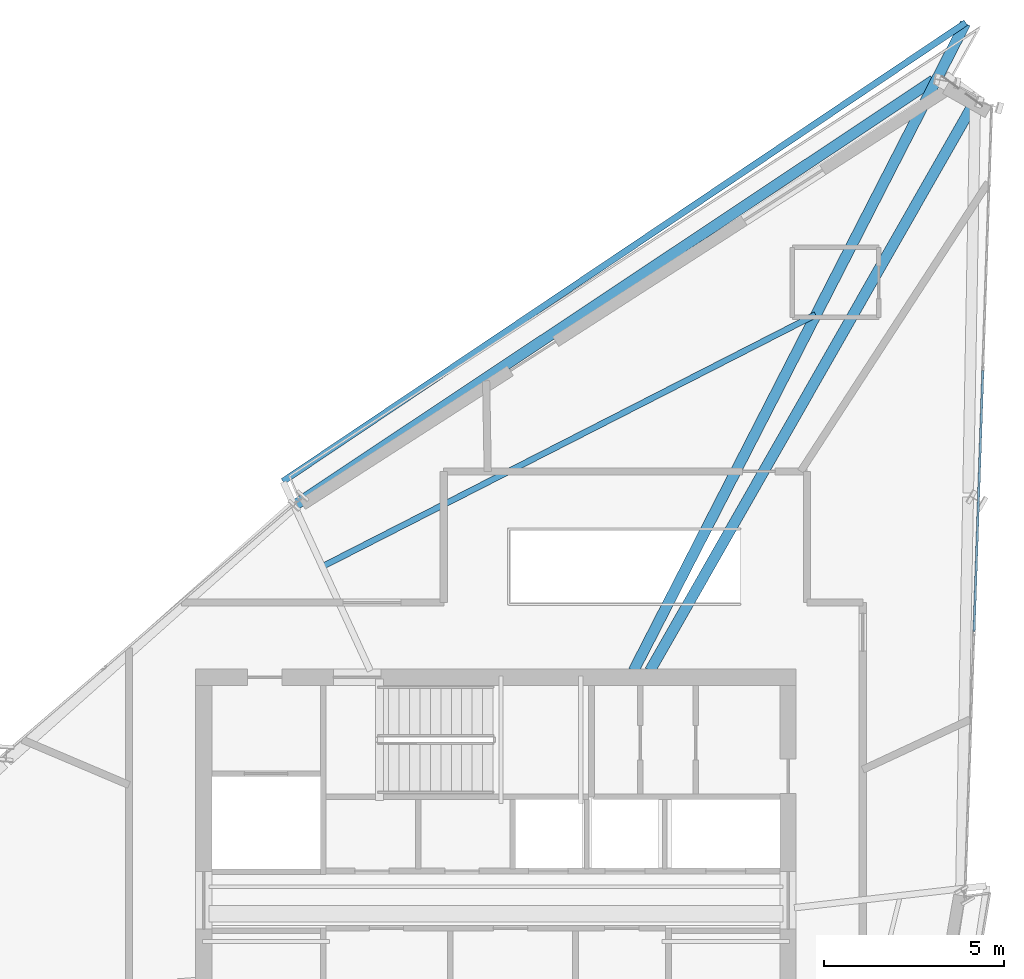
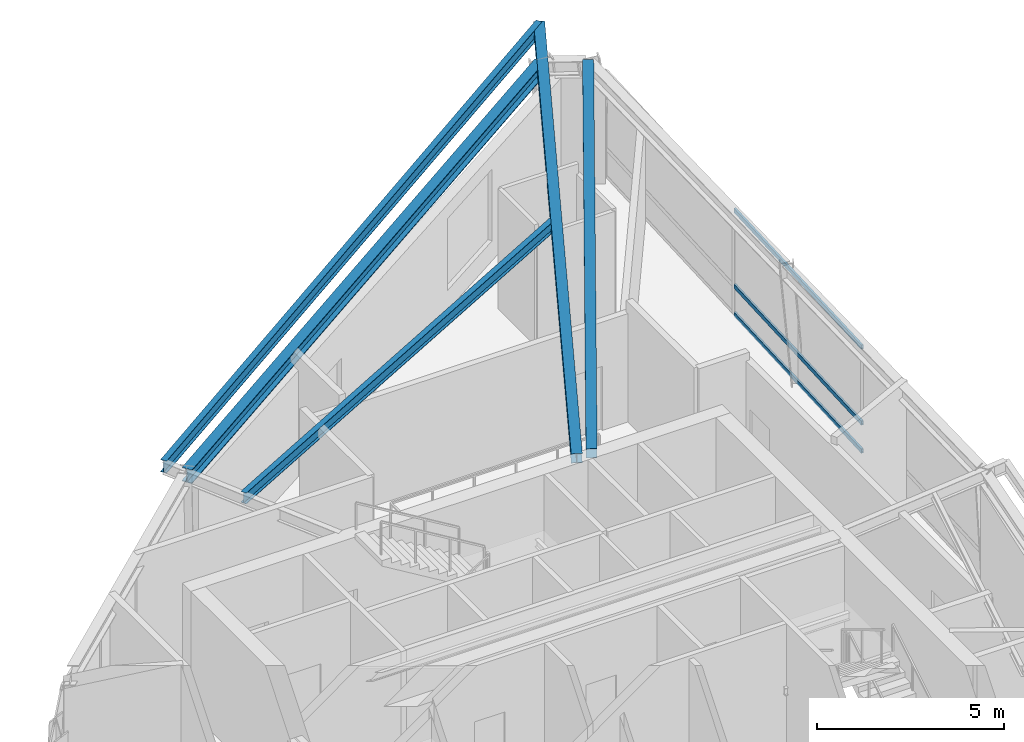
# One storey, part 12 of 22: 5 beams, 3 members, 1 element without a shape of its own.
"""IFC4 building model written with IfcOpenShell, lengths in metres."""

import ifcopenshell
import ifcopenshell.guid

model = None  # the IFC model being written
_history = None  # IfcOwnerHistory: only IFC2X3 demands one
_inside = {}  # id of a spatial element -> (the spatial element, [elements in it])
_under = {}  # id of a project, library or spatial element -> (it, [spatial elements below it])
_declared = {}  # id of a project -> (the project, [libraries it declares])
_typed = {}  # id of a type object -> (the type object, [elements of that type])
_made_of = {}  # id of a material, layer set ... -> (it, [elements and type objects made of it])


def new_model(schema):
    """Start an empty IFC model of exactly this schema.

    Asked for "IFC4X3", IfcOpenShell would pick the latest addendum, in which some entities
    have other attributes; the version numbers below select the first issue.
    IFC2X3 requires an IfcOwnerHistory on every rooted entity: one is made here for all.
    """
    global model, _history
    if schema == "IFC4X3":
        model = ifcopenshell.file(schema_version=(4, 3, 0, 0))
    else:
        model = ifcopenshell.file(schema=schema)
    _inside.clear()
    _under.clear()
    _declared.clear()
    _typed.clear()
    _made_of.clear()
    _history = None
    if model.schema == "IFC2X3":
        org = make("IfcOrganization", Name="unknown")
        user = make(
            "IfcPersonAndOrganization",
            ThePerson=make("IfcPerson", FamilyName="unknown"),
            TheOrganization=org,
        )
        app = make(
            "IfcApplication",
            ApplicationDeveloper=org,
            Version="unknown",
            ApplicationFullName="unknown",
            ApplicationIdentifier="unknown",
        )
        _history = make(
            "IfcOwnerHistory",
            OwningUser=user,
            OwningApplication=app,
            ChangeAction="ADDED",
            CreationDate=0,
        )
    return model


def make(cls, **values):
    """One entity of the class cls with the attributes given. An attribute that is None is left unset."""
    return model.create_entity(
        cls, **{name: value for name, value in values.items() if value is not None}
    )


def rooted(cls, **values):
    """An entity with a GlobalId (a new one), such as an element, a storey or a relation."""
    return make(cls, GlobalId=ifcopenshell.guid.new(), OwnerHistory=_history, **values)


def si_unit(unit_type, name, prefix=None):
    """IfcSIUnit, for example si_unit("LENGTHUNIT", "METRE", prefix="MILLI")."""
    return make("IfcSIUnit", UnitType=unit_type, Prefix=prefix, Name=name)


def assignment(units):
    """IfcUnitAssignment: the units of a project."""
    return None if units is None else make("IfcUnitAssignment", Units=units)


def point(xyz):
    """IfcCartesianPoint."""
    return None if xyz is None else make("IfcCartesianPoint", Coordinates=xyz)


def direction(xyz):
    """IfcDirection."""
    return None if xyz is None else make("IfcDirection", DirectionRatios=xyz)


def frame(location, z_axis=None, x_axis=None):
    """IfcAxis2Placement3D, a coordinate frame: its origin and axes. An axis left out is left unset."""
    return make(
        "IfcAxis2Placement3D",
        Location=point(location),
        Axis=direction(z_axis),
        RefDirection=direction(x_axis),
    )


def frame_2d(location, x_axis=None):
    """IfcAxis2Placement2D, a coordinate frame in the plane: its origin and x axis."""
    return make(
        "IfcAxis2Placement2D", Location=point(location), RefDirection=direction(x_axis)
    )


def origin():
    """The frame at (0, 0, 0) with its axes left unset."""
    return frame((0.0, 0.0, 0.0))


def origin_2d():
    """The frame at (0, 0) in the plane with its x axis left unset."""
    return frame_2d((0.0, 0.0))


def place(relative_to, where):
    """IfcLocalPlacement: puts the frame where relative to a parent placement (None: the world)."""
    return make(
        "IfcLocalPlacement", PlacementRelTo=relative_to, RelativePlacement=where
    )


def context(
    kind, dimensions, precision=None, world=None, true_north=None, identifier=None
):
    """IfcGeometricRepresentationContext, for example the 3D "Model" context."""
    return make(
        "IfcGeometricRepresentationContext",
        ContextIdentifier=identifier,
        ContextType=kind,
        CoordinateSpaceDimension=dimensions,
        Precision=precision,
        WorldCoordinateSystem=world,
        TrueNorth=true_north,
    )


def subcontext(parent, identifier, kind, view, scale=None):
    """IfcGeometricRepresentationSubContext, for example "Body" below "Model"."""
    return make(
        "IfcGeometricRepresentationSubContext",
        ContextIdentifier=identifier,
        ContextType=kind,
        ParentContext=parent,
        TargetScale=scale,
        TargetView=view,
    )


def project(units=None, contexts=None):
    """IfcProject with its units and contexts."""
    return rooted(
        "IfcProject",
        Name="project",
        RepresentationContexts=contexts,
        UnitsInContext=assignment(units),
    )


def spatial(cls, under=None, at=None, **own):
    """A site, building, storey or space (cls), placed at a placement, below another one or the project."""
    s = rooted(cls, ObjectPlacement=at, **own)
    if under is not None:
        _under.setdefault(under.id(), (under, []))[1].append(s)
    return s


def profile(cls, at=None, kind="AREA", **sizes):
    """A parametric profile (cls). Its sizes go by their IFC names, for example OverallWidth=200.0."""
    return make(cls, ProfileType=kind, Position=at, **sizes)


def hollow_rectangle(**sizes):
    """IfcRectangleHollowProfileDef."""
    return profile("IfcRectangleHollowProfileDef", **sizes)


def i_section(**sizes):
    """IfcIShapeProfileDef."""
    return profile("IfcIShapeProfileDef", **sizes)


def extrude(swept, where, along, depth):
    """IfcExtrudedAreaSolid: the profile swept, set in the frame where, extruded along a direction by depth."""
    return make(
        "IfcExtrudedAreaSolid",
        SweptArea=swept,
        Position=where,
        ExtrudedDirection=direction(along),
        Depth=depth,
    )


def shape(context_of_items, identifier, shape_type, items):
    """IfcShapeRepresentation: the items that make up one representation, for example the "Body"."""
    return make(
        "IfcShapeRepresentation",
        ContextOfItems=context_of_items,
        RepresentationIdentifier=identifier,
        RepresentationType=shape_type,
        Items=items,
    )


def source(mapping_origin, context_of_items, identifier, shape_type, items):
    """IfcRepresentationMap: a shape defined once, which mapped items show again and again."""
    return make(
        "IfcRepresentationMap",
        MappingOrigin=mapping_origin,
        MappedRepresentation=shape(context_of_items, identifier, shape_type, items),
    )


def transform(
    local_origin,
    x_axis=None,
    y_axis=None,
    z_axis=None,
    scale=None,
    scale2=None,
    scale3=None,
    uniform=True,
):
    """IfcCartesianTransformationOperator3D, or its non-uniform kind. x_axis, y_axis, z_axis: its Axis1, 2, 3."""
    if uniform:
        return make(
            "IfcCartesianTransformationOperator3D",
            Axis1=direction(x_axis),
            Axis2=direction(y_axis),
            LocalOrigin=point(local_origin),
            Scale=scale,
            Axis3=direction(z_axis),
        )
    return make(
        "IfcCartesianTransformationOperator3DnonUniform",
        Axis1=direction(x_axis),
        Axis2=direction(y_axis),
        LocalOrigin=point(local_origin),
        Scale=scale,
        Axis3=direction(z_axis),
        Scale2=scale2,
        Scale3=scale3,
    )


def mapped(mapping_source, mapping_target):
    """IfcMappedItem: shows the shape of a source again, moved by a transform."""
    return make(
        "IfcMappedItem", MappingSource=mapping_source, MappingTarget=mapping_target
    )


def material(Name=None, Category=None):
    """IfcMaterial."""
    return make("IfcMaterial", Name=Name, Category=Category)


def material_profile(
    of_material, cross_section, Name=None, Category=None, Priority=None
):
    """IfcMaterialProfile: a cross section and its material."""
    return make(
        "IfcMaterialProfile",
        Name=Name,
        Material=of_material,
        Profile=cross_section,
        Priority=Priority,
        Category=Category,
    )


def profile_set(profiles, Name=None, composite=None):
    """IfcMaterialProfileSet."""
    return make(
        "IfcMaterialProfileSet",
        Name=Name,
        MaterialProfiles=profiles,
        CompositeProfile=composite,
    )


def made_of(thing, what):
    """Note that an element or type object is made of a material, layer set ...; save() writes the relation."""
    if what is not None:
        _made_of.setdefault(what.id(), (what, []))[1].append(thing)
    return thing


def type_object(cls, material=None, **own):
    """A type object (cls), such as IfcWallType, which elements share."""
    return made_of(rooted(cls, **own), material)


def element(
    cls,
    number,
    at=None,
    inside=None,
    cuts=None,
    type_object=None,
    material=None,
    context=None,
    identifier="Body",
    shape_type=None,
    held_by="IfcProductDefinitionShape",
    body=None,
    shapes=None,
    **own,
):
    """One element of the class cls, such as IfcWall. Its Tag is "e" and its number.

    at: its placement. inside: the storey or other place that contains it. cuts: it is an
    opening in that element (IfcRelVoidsElement). A single representation is given by context,
    identifier, shape_type and body (its items); several are given by shapes. held_by: the class
    of the entity that holds the representations. save() writes the other relations.
    """
    e = rooted(cls, Tag="e%d" % number, ObjectPlacement=at, **own)
    if body is not None:
        shapes = [shape(context, identifier, shape_type, body)]
    if shapes is not None:
        e.Representation = make(held_by, Representations=shapes)
    if inside is not None:
        _inside.setdefault(inside.id(), (inside, []))[1].append(e)
    if cuts is not None:
        rooted(
            "IfcRelVoidsElement", RelatingBuildingElement=cuts, RelatedOpeningElement=e
        )
    if type_object is not None:
        _typed.setdefault(type_object.id(), (type_object, []))[1].append(e)
    return made_of(e, material)


def aggregate(whole, parts):
    """IfcRelAggregates: a whole, such as a stair, and the parts it consists of."""
    return rooted("IfcRelAggregates", RelatingObject=whole, RelatedObjects=parts)


def save(model, path):
    """Write the relations noted so far, then the file.

    IfcRelAggregates (storeys below a building ...), IfcRelContainedInSpatialStructure (elements
    in a storey), IfcRelDefinesByType, IfcRelAssociatesMaterial and IfcRelDeclares: one each for
    every whole, place, type object, material and project.
    """
    for whole, parts in _under.values():
        aggregate(whole, parts)
    for where, things in _inside.values():
        rooted(
            "IfcRelContainedInSpatialStructure",
            RelatedElements=things,
            RelatingStructure=where,
        )
    for kind, things in _typed.values():
        rooted("IfcRelDefinesByType", RelatedObjects=things, RelatingType=kind)
    for what, things in _made_of.values():
        rooted("IfcRelAssociatesMaterial", RelatedObjects=things, RelatingMaterial=what)
    for by, libraries in _declared.values():
        rooted("IfcRelDeclares", RelatingContext=by, RelatedDefinitions=libraries)
    model.write(path)


model = new_model("IFC4")

# Units and contexts
model_context = context("Model", 3, precision=1e-05, world=origin(), true_north=direction((0.0, 1.0)))
body_context = subcontext(model_context, "Body", "Model", "MODEL_VIEW")
ifc_project = project(units=[si_unit("LENGTHUNIT", "METRE"), si_unit("AREAUNIT", "SQUARE_METRE"), si_unit("VOLUMEUNIT", "CUBIC_METRE"), si_unit("PLANEANGLEUNIT", "RADIAN"), si_unit("MASSUNIT", "GRAM", prefix="KILO")], contexts=[model_context])

# Site, building, storey
site_placement = place(None, origin())
site = spatial("IfcSite", under=ifc_project, at=site_placement, CompositionType="ELEMENT")
building_placement = place(site_placement, origin())
building = spatial("IfcBuilding", under=site, at=building_placement, Name="Olszyna Solenne Hotel", CompositionType="ELEMENT")
storey_placement = place(building_placement, frame((0.0, 0.0, 281.89990234375)))
storey = spatial("IfcBuildingStorey", under=building, at=storey_placement, Name="L75", CompositionType="ELEMENT", Elevation=281.89990234375)

# Beams
ifc_material_1 = material(Name="Steel S355J2", Category="steel")
ifc_material_profile_1 = material_profile(ifc_material_1, i_section(OverallWidth=0.300048828125, OverallDepth=0.449951171875, WebThickness=0.013916015625, FlangeThickness=0.02587890625, at=origin_2d()), Name="HEB 450", Category="load-bearing")
ifc_profile_set_1 = profile_set([ifc_material_profile_1], Name="Steel S355J2")
beam_type_1 = type_object("IfcBeamType", Name="BM-S4", PredefinedType="BEAM", material=ifc_profile_set_1)
shared_shape_1 = source(origin(), body_context, "Body", "SweptSolid", [
    extrude(i_section(OverallWidth=0.300048828125, OverallDepth=0.449951171875, WebThickness=0.013916015625, FlangeThickness=0.02587890625, at=origin_2d()), origin(), (0.0, 0.0, 1.0), 21.308349609375),
])
beam_1_placement = place(storey_placement, frame((50.166259765625, 50.5244140625, 3.695068359375), z_axis=(-0.832536477487, -0.553970228129, 0.0), x_axis=(0.553970228129, -0.832536477487, 0.0)))
element("IfcBeam", 1, at=beam_1_placement, inside=storey, type_object=beam_type_1, Name="Perimeter spandrel beam BM-S4 B-L75-2197", PredefinedType="BEAM", context=body_context, shape_type="MappedRepresentation", body=[
    mapped(shared_shape_1, transform((0.0, 0.0, 0.0), x_axis=(1.0, 0.0, 0.0), y_axis=(0.0, 1.0, 0.0), z_axis=(0.0, 0.0, 1.0), scale=1.0)),
])
ifc_material_profile_2 = material_profile(ifc_material_1, i_section(OverallWidth=0.300048828125, OverallDepth=0.31005859375, WebThickness=0.009033203125, FlangeThickness=0.015380859375, at=origin_2d()), Name="HEA 320", Category="load-bearing")
ifc_profile_set_2 = profile_set([ifc_material_profile_2], Name="Steel S355J2")
beam_type_2 = type_object("IfcBeamType", Name="BM-G3", PredefinedType="BEAM", material=ifc_profile_set_2)
shared_shape_2 = source(origin(), body_context, "Body", "SweptSolid", [
    extrude(i_section(OverallWidth=0.300048828125, OverallDepth=0.31005859375, WebThickness=0.009033203125, FlangeThickness=0.015380859375, at=origin_2d()), origin(), (0.0, 0.0, 1.0), 18.183349609375),
])
beam_2_placement = place(storey_placement, frame((51.2958984375, 49.8994140625, 3.76513671875), z_axis=(-0.495632771209, -0.86853218484, 0.0), x_axis=(0.86853218484, -0.495632771209, 0.0)))
element("IfcBeam", 2, at=beam_2_placement, inside=storey, type_object=beam_type_2, Name="Radial floor girder BM-G3 B-L75-2208", PredefinedType="BEAM", context=body_context, shape_type="MappedRepresentation", body=[
    mapped(shared_shape_2, transform((0.0, 0.0, 0.0), x_axis=(1.0, 0.0, 0.0), y_axis=(0.0, 1.0, 0.0), z_axis=(0.0, 0.0, 1.0), scale=1.0)),
])
shared_shape_3 = source(origin(), body_context, "Body", "SweptSolid", [
    extrude(i_section(OverallWidth=0.300048828125, OverallDepth=0.31005859375, WebThickness=0.009033203125, FlangeThickness=0.015380859375, at=origin_2d()), origin(), (0.0, 0.0, 1.0), 20.22802734375),
])
beam_3_placement = place(storey_placement, frame((51.0537109375, 52.106689453125, 3.76513671875), z_axis=(-0.456127472236, -0.889914450423, 0.0), x_axis=(0.889914450423, -0.456127472236, 0.0)))
element("IfcBeam", 3, at=beam_3_placement, inside=storey, type_object=beam_type_2, Name="Radial floor girder BM-G3 B-L75-2209", PredefinedType="BEAM", context=body_context, shape_type="MappedRepresentation", body=[
    mapped(shared_shape_3, transform((0.0, 0.0, 0.0), x_axis=(1.0, 0.0, 0.0), y_axis=(0.0, 1.0, 0.0), z_axis=(0.0, 0.0, 1.0), scale=1.0)),
])
ifc_material_profile_3 = material_profile(ifc_material_1, i_section(OverallWidth=0.169921875, OverallDepth=0.360107421875, WebThickness=0.008056640625, FlangeThickness=0.0126953125, at=origin_2d()), Name="IPE 360", Category="load-bearing")
ifc_profile_set_3 = profile_set([ifc_material_profile_3], Name="Steel S355J2")
beam_type_3 = type_object("IfcBeamType", Name="JS-01", PredefinedType="JOIST", material=ifc_profile_set_3)
shared_shape_4 = source(origin(), body_context, "Body", "SweptSolid", [
    extrude(i_section(OverallWidth=0.169921875, OverallDepth=0.360107421875, WebThickness=0.008056640625, FlangeThickness=0.0126953125, at=origin_2d()), origin(), (0.0, 0.0, 1.0), 15.38134765625),
])
beam_4_placement = place(storey_placement, frame((46.888916015625, 44.0068359375, 3.739990234375), z_axis=(-0.890578864196, -0.454828854237, 0.0), x_axis=(0.454828854237, -0.890578864196, 0.0)))
element("IfcBeam", 4, at=beam_4_placement, inside=storey, type_object=beam_type_3, Name="Secondary composite floor joist JS-01 B-L75-2218", PredefinedType="JOIST", context=body_context, shape_type="MappedRepresentation", body=[
    mapped(shared_shape_4, transform((0.0, 0.0, 0.0), x_axis=(1.0, 0.0, 0.0), y_axis=(0.0, 1.0, 0.0), z_axis=(0.0, 0.0, 1.0), scale=1.0)),
])
ifc_material_profile_4 = material_profile(ifc_material_1, i_section(OverallWidth=0.179931640625, OverallDepth=0.39990234375, WebThickness=0.008544921875, FlangeThickness=0.013427734375, at=origin_2d()), Name="IPE 400", Category="load-bearing")
ifc_profile_set_4 = profile_set([ifc_material_profile_4], Name="Steel S355J2")
beam_type_4 = type_object("IfcBeamType", Name="BM-F5", PredefinedType="BEAM", material=ifc_profile_set_4)
shared_shape_5 = source(origin(), body_context, "Body", "SweptSolid", [
    extrude(i_section(OverallWidth=0.179931640625, OverallDepth=0.39990234375, WebThickness=0.008544921875, FlangeThickness=0.013427734375, at=origin_2d()), origin(), (0.0, 0.0, 1.0), 22.8681640625),
])
beam_5_placement = place(storey_placement, frame((51.062744140625, 52.12451171875, 3.72021484375), z_axis=(-0.830082339361, -0.557640843089, 0.0), x_axis=(0.557640843089, -0.830082339361, 0.0)))
element("IfcBeam", 5, at=beam_5_placement, inside=storey, type_object=beam_type_4, Name="Loggia outer edge beam BM-F5 B-L75-2221", PredefinedType="BEAM", context=body_context, shape_type="MappedRepresentation", body=[
    mapped(shared_shape_5, transform((0.0, 0.0, 0.0), x_axis=(1.0, 0.0, 0.0), y_axis=(0.0, 1.0, 0.0), z_axis=(0.0, 0.0, 1.0), scale=1.0)),
])

# Curtain wall, members
ifc_material_2 = material(Name="Anodised bronze aluminium", Category="aluminium")
curtain_wall_type = type_object("IfcCurtainWallType", Name="CW-SYS-7", PredefinedType="NOTDEFINED", material=ifc_material_2)
curtain_wall_placement = place(storey_placement, origin())
curtain_wall = element("IfcCurtainWall", 6, at=curtain_wall_placement, inside=storey, type_object=curtain_wall_type, Name="Unitised curtain wall CW-SYS-7 CW-L75-03", PredefinedType="NOTDEFINED")
ifc_material_profile_5 = material_profile(ifc_material_2, hollow_rectangle(XDim=0.06494140625, YDim=0.139892578125, WallThickness=0.00390625, at=origin_2d()), Name="TRAN 140x65x4", Category="load-bearing")
ifc_profile_set_5 = profile_set([ifc_material_profile_5], Name="Anodised bronze aluminium")
member_type = type_object("IfcMemberType", Name="CW-T2", PredefinedType="USERDEFINED", material=ifc_profile_set_5)
shared_shape_6 = source(origin(), body_context, "Body", "SweptSolid", [
    extrude(hollow_rectangle(XDim=0.06494140625, YDim=0.139892578125, WallThickness=0.00390625, at=origin_2d()), origin(), (0.0, 0.0, 1.0), 7.2646484375),
])
member_1_placement = place(storey_placement, frame((51.29345703125, 35.19580078125, 0.03271484375), z_axis=(0.033841863898, 0.999427200074, 0.0), x_axis=(-0.999427200074, 0.033841863898, 0.0)))
member_1 = element("IfcMember", 7, at=member_1_placement, type_object=member_type, Name="Curtain-wall transom CW-T2 CT-L75-03-04", ObjectType="TRANSOM", PredefinedType="USERDEFINED", context=body_context, shape_type="MappedRepresentation", body=[
    mapped(shared_shape_6, transform((0.0, 0.0, 0.0), x_axis=(1.0, 0.0, 0.0), y_axis=(0.0, 1.0, 0.0), z_axis=(0.0, 0.0, 1.0), scale=1.0)),
])
member_2_placement = place(storey_placement, frame((51.29345703125, 35.19580078125, 0.9501953125), z_axis=(0.033841863898, 0.999427200074, 0.0), x_axis=(-0.999427200074, 0.033841863898, 0.0)))
member_2 = element("IfcMember", 8, at=member_2_placement, type_object=member_type, Name="Curtain-wall transom CW-T2 CT-L75-03-05", ObjectType="TRANSOM", PredefinedType="USERDEFINED", context=body_context, shape_type="MappedRepresentation", body=[
    mapped(shared_shape_6, transform((0.0, 0.0, 0.0), x_axis=(1.0, 0.0, 0.0), y_axis=(0.0, 1.0, 0.0), z_axis=(0.0, 0.0, 1.0), scale=1.0)),
])
member_3_placement = place(storey_placement, frame((51.29345703125, 35.19580078125, 3.4296875), z_axis=(0.033841863898, 0.999427200074, 0.0), x_axis=(-0.999427200074, 0.033841863898, 0.0)))
member_3 = element("IfcMember", 9, at=member_3_placement, type_object=member_type, Name="Curtain-wall transom CW-T2 CT-L75-03-06", ObjectType="TRANSOM", PredefinedType="USERDEFINED", context=body_context, shape_type="MappedRepresentation", body=[
    mapped(shared_shape_6, transform((0.0, 0.0, 0.0), x_axis=(1.0, 0.0, 0.0), y_axis=(0.0, 1.0, 0.0), z_axis=(0.0, 0.0, 1.0), scale=1.0)),
])
aggregate(curtain_wall, [member_1, member_2, member_3])

save(model, "model.ifc")
